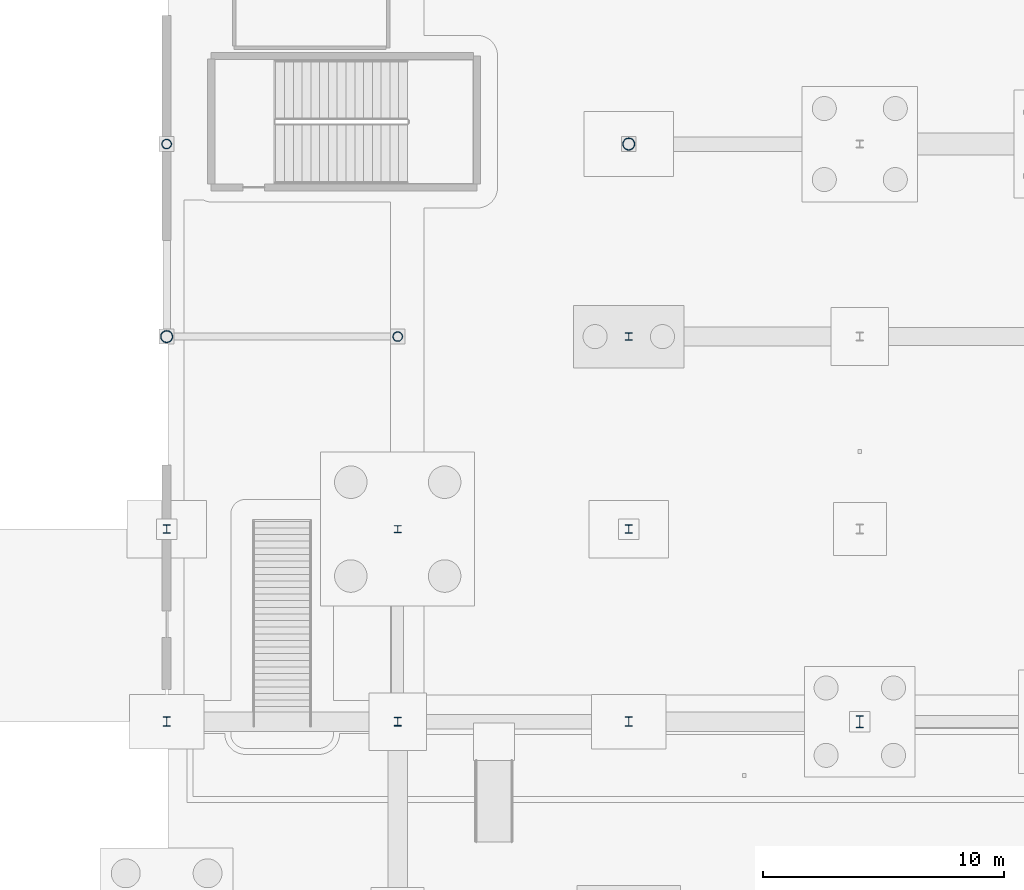
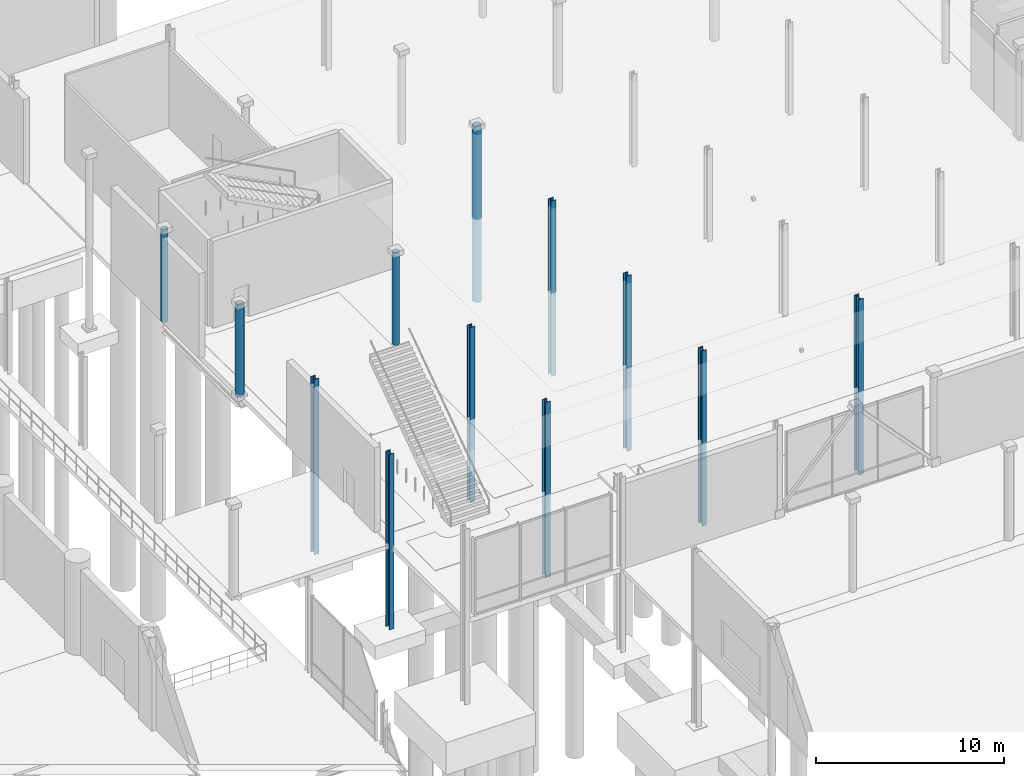
# One storey, part 25 of 124: 12 columns.
"""IFC4 building model written with IfcOpenShell, lengths in metres."""

import ifcopenshell
import ifcopenshell.guid

model = None  # the IFC model being written
_history = None  # IfcOwnerHistory: only IFC2X3 demands one
_inside = {}  # id of a spatial element -> (the spatial element, [elements in it])
_under = {}  # id of a project, library or spatial element -> (it, [spatial elements below it])
_declared = {}  # id of a project -> (the project, [libraries it declares])
_typed = {}  # id of a type object -> (the type object, [elements of that type])
_made_of = {}  # id of a material, layer set ... -> (it, [elements and type objects made of it])


def new_model(schema):
    """Start an empty IFC model of exactly this schema.

    Asked for "IFC4X3", IfcOpenShell would pick the latest addendum, in which some entities
    have other attributes; the version numbers below select the first issue.
    IFC2X3 requires an IfcOwnerHistory on every rooted entity: one is made here for all.
    """
    global model, _history
    if schema == "IFC4X3":
        model = ifcopenshell.file(schema_version=(4, 3, 0, 0))
    else:
        model = ifcopenshell.file(schema=schema)
    _inside.clear()
    _under.clear()
    _declared.clear()
    _typed.clear()
    _made_of.clear()
    _history = None
    if model.schema == "IFC2X3":
        org = make("IfcOrganization", Name="unknown")
        user = make(
            "IfcPersonAndOrganization",
            ThePerson=make("IfcPerson", FamilyName="unknown"),
            TheOrganization=org,
        )
        app = make(
            "IfcApplication",
            ApplicationDeveloper=org,
            Version="unknown",
            ApplicationFullName="unknown",
            ApplicationIdentifier="unknown",
        )
        _history = make(
            "IfcOwnerHistory",
            OwningUser=user,
            OwningApplication=app,
            ChangeAction="ADDED",
            CreationDate=0,
        )
    return model


def make(cls, **values):
    """One entity of the class cls with the attributes given. An attribute that is None is left unset."""
    return model.create_entity(
        cls, **{name: value for name, value in values.items() if value is not None}
    )


def rooted(cls, **values):
    """An entity with a GlobalId (a new one), such as an element, a storey or a relation."""
    return make(cls, GlobalId=ifcopenshell.guid.new(), OwnerHistory=_history, **values)


def si_unit(unit_type, name, prefix=None):
    """IfcSIUnit, for example si_unit("LENGTHUNIT", "METRE", prefix="MILLI")."""
    return make("IfcSIUnit", UnitType=unit_type, Prefix=prefix, Name=name)


def assignment(units):
    """IfcUnitAssignment: the units of a project."""
    return None if units is None else make("IfcUnitAssignment", Units=units)


def point(xyz):
    """IfcCartesianPoint."""
    return None if xyz is None else make("IfcCartesianPoint", Coordinates=xyz)


def direction(xyz):
    """IfcDirection."""
    return None if xyz is None else make("IfcDirection", DirectionRatios=xyz)


def frame(location, z_axis=None, x_axis=None):
    """IfcAxis2Placement3D, a coordinate frame: its origin and axes. An axis left out is left unset."""
    return make(
        "IfcAxis2Placement3D",
        Location=point(location),
        Axis=direction(z_axis),
        RefDirection=direction(x_axis),
    )


def frame_2d(location, x_axis=None):
    """IfcAxis2Placement2D, a coordinate frame in the plane: its origin and x axis."""
    return make(
        "IfcAxis2Placement2D", Location=point(location), RefDirection=direction(x_axis)
    )


def origin():
    """The frame at (0, 0, 0) with its axes left unset."""
    return frame((0.0, 0.0, 0.0))


def origin_2d():
    """The frame at (0, 0) in the plane with its x axis left unset."""
    return frame_2d((0.0, 0.0))


def place(relative_to, where):
    """IfcLocalPlacement: puts the frame where relative to a parent placement (None: the world)."""
    return make(
        "IfcLocalPlacement", PlacementRelTo=relative_to, RelativePlacement=where
    )


def context(
    kind, dimensions, precision=None, world=None, true_north=None, identifier=None
):
    """IfcGeometricRepresentationContext, for example the 3D "Model" context."""
    return make(
        "IfcGeometricRepresentationContext",
        ContextIdentifier=identifier,
        ContextType=kind,
        CoordinateSpaceDimension=dimensions,
        Precision=precision,
        WorldCoordinateSystem=world,
        TrueNorth=true_north,
    )


def subcontext(parent, identifier, kind, view, scale=None):
    """IfcGeometricRepresentationSubContext, for example "Body" below "Model"."""
    return make(
        "IfcGeometricRepresentationSubContext",
        ContextIdentifier=identifier,
        ContextType=kind,
        ParentContext=parent,
        TargetScale=scale,
        TargetView=view,
    )


def project(units=None, contexts=None):
    """IfcProject with its units and contexts."""
    return rooted(
        "IfcProject",
        Name="project",
        RepresentationContexts=contexts,
        UnitsInContext=assignment(units),
    )


def spatial(cls, under=None, at=None, **own):
    """A site, building, storey or space (cls), placed at a placement, below another one or the project."""
    s = rooted(cls, ObjectPlacement=at, **own)
    if under is not None:
        _under.setdefault(under.id(), (under, []))[1].append(s)
    return s


def profile(cls, at=None, kind="AREA", **sizes):
    """A parametric profile (cls). Its sizes go by their IFC names, for example OverallWidth=200.0."""
    return make(cls, ProfileType=kind, Position=at, **sizes)


def hollow_circle(**sizes):
    """IfcCircleHollowProfileDef."""
    return profile("IfcCircleHollowProfileDef", **sizes)


def i_section(**sizes):
    """IfcIShapeProfileDef."""
    return profile("IfcIShapeProfileDef", **sizes)


def extrude(swept, where, along, depth):
    """IfcExtrudedAreaSolid: the profile swept, set in the frame where, extruded along a direction by depth."""
    return make(
        "IfcExtrudedAreaSolid",
        SweptArea=swept,
        Position=where,
        ExtrudedDirection=direction(along),
        Depth=depth,
    )


def shape(context_of_items, identifier, shape_type, items):
    """IfcShapeRepresentation: the items that make up one representation, for example the "Body"."""
    return make(
        "IfcShapeRepresentation",
        ContextOfItems=context_of_items,
        RepresentationIdentifier=identifier,
        RepresentationType=shape_type,
        Items=items,
    )


def material(Name=None, Category=None):
    """IfcMaterial."""
    return make("IfcMaterial", Name=Name, Category=Category)


def material_profile(
    of_material, cross_section, Name=None, Category=None, Priority=None
):
    """IfcMaterialProfile: a cross section and its material."""
    return make(
        "IfcMaterialProfile",
        Name=Name,
        Material=of_material,
        Profile=cross_section,
        Priority=Priority,
        Category=Category,
    )


def profile_set(profiles, Name=None, composite=None):
    """IfcMaterialProfileSet."""
    return make(
        "IfcMaterialProfileSet",
        Name=Name,
        MaterialProfiles=profiles,
        CompositeProfile=composite,
    )


def made_of(thing, what):
    """Note that an element or type object is made of a material, layer set ...; save() writes the relation."""
    if what is not None:
        _made_of.setdefault(what.id(), (what, []))[1].append(thing)
    return thing


def type_object(cls, material=None, **own):
    """A type object (cls), such as IfcWallType, which elements share."""
    return made_of(rooted(cls, **own), material)


def element(
    cls,
    number,
    at=None,
    inside=None,
    cuts=None,
    type_object=None,
    material=None,
    context=None,
    identifier="Body",
    shape_type=None,
    held_by="IfcProductDefinitionShape",
    body=None,
    shapes=None,
    **own,
):
    """One element of the class cls, such as IfcWall. Its Tag is "e" and its number.

    at: its placement. inside: the storey or other place that contains it. cuts: it is an
    opening in that element (IfcRelVoidsElement). A single representation is given by context,
    identifier, shape_type and body (its items); several are given by shapes. held_by: the class
    of the entity that holds the representations. save() writes the other relations.
    """
    e = rooted(cls, Tag="e%d" % number, ObjectPlacement=at, **own)
    if body is not None:
        shapes = [shape(context, identifier, shape_type, body)]
    if shapes is not None:
        e.Representation = make(held_by, Representations=shapes)
    if inside is not None:
        _inside.setdefault(inside.id(), (inside, []))[1].append(e)
    if cuts is not None:
        rooted(
            "IfcRelVoidsElement", RelatingBuildingElement=cuts, RelatedOpeningElement=e
        )
    if type_object is not None:
        _typed.setdefault(type_object.id(), (type_object, []))[1].append(e)
    return made_of(e, material)


def aggregate(whole, parts):
    """IfcRelAggregates: a whole, such as a stair, and the parts it consists of."""
    return rooted("IfcRelAggregates", RelatingObject=whole, RelatedObjects=parts)


def save(model, path):
    """Write the relations noted so far, then the file.

    IfcRelAggregates (storeys below a building ...), IfcRelContainedInSpatialStructure (elements
    in a storey), IfcRelDefinesByType, IfcRelAssociatesMaterial and IfcRelDeclares: one each for
    every whole, place, type object, material and project.
    """
    for whole, parts in _under.values():
        aggregate(whole, parts)
    for where, things in _inside.values():
        rooted(
            "IfcRelContainedInSpatialStructure",
            RelatedElements=things,
            RelatingStructure=where,
        )
    for kind, things in _typed.values():
        rooted("IfcRelDefinesByType", RelatedObjects=things, RelatingType=kind)
    for what, things in _made_of.values():
        rooted("IfcRelAssociatesMaterial", RelatedObjects=things, RelatingMaterial=what)
    for by, libraries in _declared.values():
        rooted("IfcRelDeclares", RelatingContext=by, RelatedDefinitions=libraries)
    model.write(path)


model = new_model("IFC4")

# Units and contexts
model_context = context("Model", 3, precision=1e-05, world=origin(), true_north=direction((0.0, 1.0)))
body_context = subcontext(model_context, "Body", "Model", "MODEL_VIEW")
ifc_project = project(units=[si_unit("LENGTHUNIT", "METRE"), si_unit("AREAUNIT", "SQUARE_METRE"), si_unit("VOLUMEUNIT", "CUBIC_METRE"), si_unit("PLANEANGLEUNIT", "RADIAN"), si_unit("MASSUNIT", "GRAM", prefix="KILO")], contexts=[model_context])

# Site, building, storey
site_placement = place(None, origin())
site = spatial("IfcSite", under=ifc_project, at=site_placement, CompositionType="ELEMENT")
building_placement = place(site_placement, origin())
building = spatial("IfcBuilding", under=site, at=building_placement, Name="Danafjord Basin Convention Centre", CompositionType="ELEMENT")
storey_placement = place(building_placement, origin())
storey = spatial("IfcBuildingStorey", under=building, at=storey_placement, Name="L00", CompositionType="ELEMENT", Elevation=0.0)

# Columns
ifc_material = material(Name="Steel S355", Category="steel")
ifc_material_profile_1 = material_profile(ifc_material, hollow_circle(Radius=0.203125, WallThickness=0.02001953125, at=origin_2d()), Name="CHS 406.4x20.0")
ifc_profile_set_1 = profile_set([ifc_material_profile_1], Name="Steel S355")
column_type_1 = type_object("IfcColumnType", Name="COL-C-CHS406", PredefinedType="COLUMN", material=ifc_profile_set_1)
for number, where, z_axis, x_axis, name in (
    (1, (134.39990234375, 120.0, 0.0), (0.0, 0.0, 1.0), (1.0, 0.0, 0.0), "L00 column C-CHS406 at (134.4, 120.0)"),
    (2, (144.0, 112.0, 0.0), (0.0, 0.0, 1.0), (1.0, 0.0, 0.0), "L00 column C-CHS406 at (144.0, 112.0)"),
):
    element("IfcColumn", number, at=place(storey_placement, frame(where, z_axis=z_axis, x_axis=x_axis)), inside=storey, type_object=column_type_1, Name=name, PredefinedType="COLUMN", context=body_context, shape_type="SweptSolid", body=[
        extrude(hollow_circle(Radius=0.203125, WallThickness=0.02001953125, at=origin_2d()), origin(), (0.0, 0.0, 1.0), 6.0),
    ])
ifc_material_profile_2 = material_profile(ifc_material, hollow_circle(Radius=0.25390625, WallThickness=0.02490234375, at=origin_2d()), Name="CHS 508.0x25.0")
ifc_profile_set_2 = profile_set([ifc_material_profile_2], Name="Steel S355")
column_type_2 = type_object("IfcColumnType", Name="COL-C-CHS508", PredefinedType="COLUMN", material=ifc_profile_set_2)
column_1_placement = place(storey_placement, frame((134.39990234375, 112.0, 0.0), z_axis=(0.0, 0.0, 1.0), x_axis=(1.0, 0.0, 0.0)))
element("IfcColumn", 3, at=column_1_placement, inside=storey, type_object=column_type_2, Name="L00 column C-CHS508 at (134.4, 112.0)", PredefinedType="COLUMN", context=body_context, shape_type="SweptSolid", body=[
    extrude(hollow_circle(Radius=0.25390625, WallThickness=0.02490234375, at=origin_2d()), origin(), (0.0, 0.0, 1.0), 6.0),
])
column_2_placement = place(storey_placement, frame((153.60009765625, 120.0, -5.39990234375), z_axis=(0.0, 0.0, 1.0), x_axis=(1.0, 0.0, 0.0)))
element("IfcColumn", 4, at=column_2_placement, inside=storey, type_object=column_type_2, Name="L00 column C-CHS508 at (153.6, 120.0)", PredefinedType="COLUMN", context=body_context, shape_type="SweptSolid", body=[
    extrude(hollow_circle(Radius=0.25390625, WallThickness=0.02490234375, at=origin_2d()), origin(), (0.0, 0.0, 1.0), 11.39990234375),
])
ifc_material_profile_3 = material_profile(ifc_material, i_section(OverallWidth=0.300048828125, OverallDepth=0.300048828125, WebThickness=0.010986328125, FlangeThickness=0.01904296875, FilletRadius=0.027099609375, at=origin_2d()), Name="HEB 300")
ifc_profile_set_3 = profile_set([ifc_material_profile_3], Name="Steel S355")
column_type_3 = type_object("IfcColumnType", Name="COL-C-HEB300", PredefinedType="COLUMN", material=ifc_profile_set_3)
for number, where, z_axis, x_axis, name in (
    (5, (144.0, 104.0, -5.39990234375), (0.0, 0.0, 1.0), (1.0, 0.0, 0.0), "L00 column C-HEB300 at (144.0, 104.0)"),
    (6, (153.60009765625, 112.0, -5.39990234375), (0.0, 0.0, 1.0), (1.0, 0.0, 0.0), "L00 column C-HEB300 at (153.6, 112.0)"),
):
    element("IfcColumn", number, at=place(storey_placement, frame(where, z_axis=z_axis, x_axis=x_axis)), inside=storey, type_object=column_type_3, Name=name, PredefinedType="COLUMN", context=body_context, shape_type="SweptSolid", body=[
        extrude(i_section(OverallWidth=0.300048828125, OverallDepth=0.300048828125, WebThickness=0.010986328125, FlangeThickness=0.01904296875, FilletRadius=0.027099609375, at=origin_2d()), origin(), (0.0, 0.0, 1.0), 11.39990234375),
    ])
ifc_material_profile_4 = material_profile(ifc_material, i_section(OverallWidth=0.300048828125, OverallDepth=0.360107421875, WebThickness=0.012451171875, FlangeThickness=0.0224609375, FilletRadius=0.027099609375, at=origin_2d()), Name="HEB 360")
ifc_profile_set_4 = profile_set([ifc_material_profile_4], Name="Steel S355")
column_type_4 = type_object("IfcColumnType", Name="COL-C-HEB360", PredefinedType="COLUMN", material=ifc_profile_set_4)
for number, where, z_axis, x_axis, name in (
    (7, (134.39990234375, 104.0, -5.39990234375), (0.0, 0.0, 1.0), (1.0, 0.0, 0.0), "L00 column C-HEB360 at (134.4, 104.0)"),
    (8, (144.0, 96.0, -5.39990234375), (0.0, 0.0, 1.0), (1.0, 0.0, 0.0), "L00 column C-HEB360 at (144.0, 96.0)"),
    (9, (153.60009765625, 104.0, -5.39990234375), (0.0, 0.0, 1.0), (1.0, 0.0, 0.0), "L00 column C-HEB360 at (153.6, 104.0)"),
):
    element("IfcColumn", number, at=place(storey_placement, frame(where, z_axis=z_axis, x_axis=x_axis)), inside=storey, type_object=column_type_4, Name=name, PredefinedType="COLUMN", context=body_context, shape_type="SweptSolid", body=[
        extrude(i_section(OverallWidth=0.300048828125, OverallDepth=0.360107421875, WebThickness=0.012451171875, FlangeThickness=0.0224609375, FilletRadius=0.027099609375, at=origin_2d()), origin(), (0.0, 0.0, 1.0), 11.39990234375),
    ])
ifc_material_profile_5 = material_profile(ifc_material, i_section(OverallWidth=0.300048828125, OverallDepth=0.39990234375, WebThickness=0.013427734375, FlangeThickness=0.02392578125, FilletRadius=0.027099609375, at=origin_2d()), Name="HEB 400")
ifc_profile_set_5 = profile_set([ifc_material_profile_5], Name="Steel S355")
column_type_5 = type_object("IfcColumnType", Name="COL-C-HEB400", PredefinedType="COLUMN", material=ifc_profile_set_5)
for number, where, z_axis, x_axis, name in (
    (10, (134.39990234375, 96.0, -5.39990234375), (0.0, 0.0, 1.0), (1.0, 0.0, 0.0), "L00 column C-HEB400 at (134.4, 96.0)"),
    (11, (153.60009765625, 96.0, -5.39990234375), (0.0, 0.0, 1.0), (1.0, 0.0, 0.0), "L00 column C-HEB400 at (153.6, 96.0)"),
):
    element("IfcColumn", number, at=place(storey_placement, frame(where, z_axis=z_axis, x_axis=x_axis)), inside=storey, type_object=column_type_5, Name=name, PredefinedType="COLUMN", context=body_context, shape_type="SweptSolid", body=[
        extrude(i_section(OverallWidth=0.300048828125, OverallDepth=0.39990234375, WebThickness=0.013427734375, FlangeThickness=0.02392578125, FilletRadius=0.027099609375, at=origin_2d()), origin(), (0.0, 0.0, 1.0), 11.39990234375),
    ])
ifc_material_profile_6 = material_profile(ifc_material, i_section(OverallWidth=0.300048828125, OverallDepth=0.5, WebThickness=0.014404296875, FlangeThickness=0.028076171875, FilletRadius=0.027099609375, at=origin_2d()), Name="HEB 500")
ifc_profile_set_6 = profile_set([ifc_material_profile_6], Name="Steel S355")
column_type_6 = type_object("IfcColumnType", Name="COL-C-HEB500", PredefinedType="COLUMN", material=ifc_profile_set_6)
column_3_placement = place(storey_placement, frame((163.199951171875, 96.0, -5.39990234375), z_axis=(0.0, 0.0, 1.0), x_axis=(1.0, 0.0, 0.0)))
element("IfcColumn", 12, at=column_3_placement, inside=storey, type_object=column_type_6, Name="L00 column C-HEB500 at (163.2, 96.0)", PredefinedType="COLUMN", context=body_context, shape_type="SweptSolid", body=[
    extrude(i_section(OverallWidth=0.300048828125, OverallDepth=0.5, WebThickness=0.014404296875, FlangeThickness=0.028076171875, FilletRadius=0.027099609375, at=origin_2d()), origin(), (0.0, 0.0, 1.0), 11.39990234375),
])

save(model, "model.ifc")
